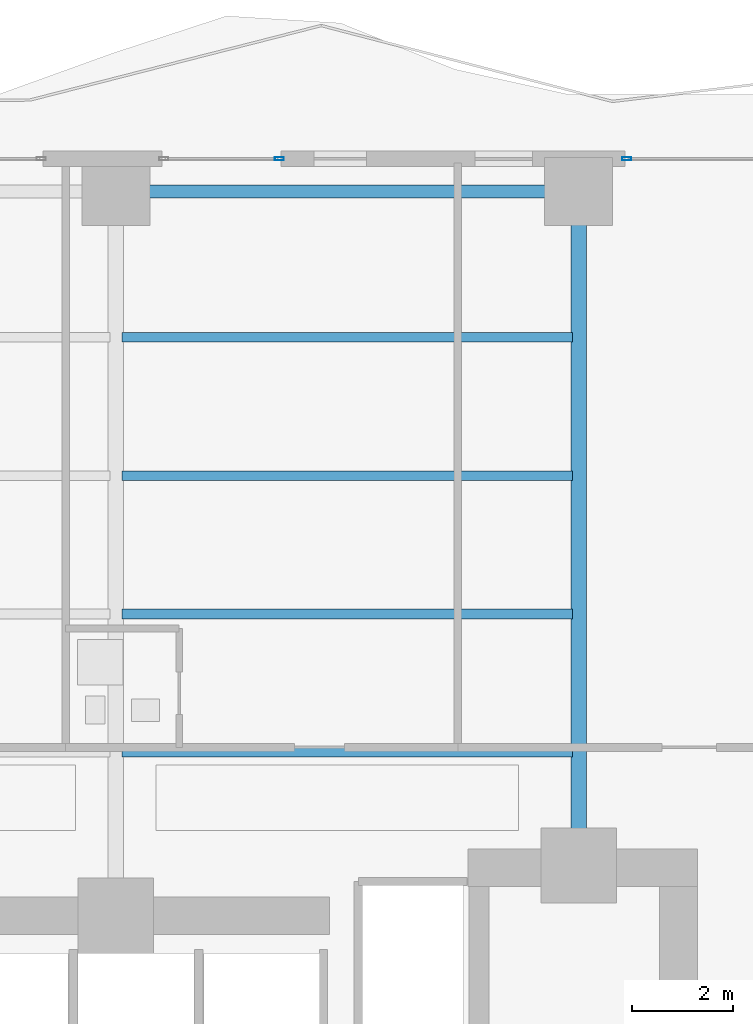
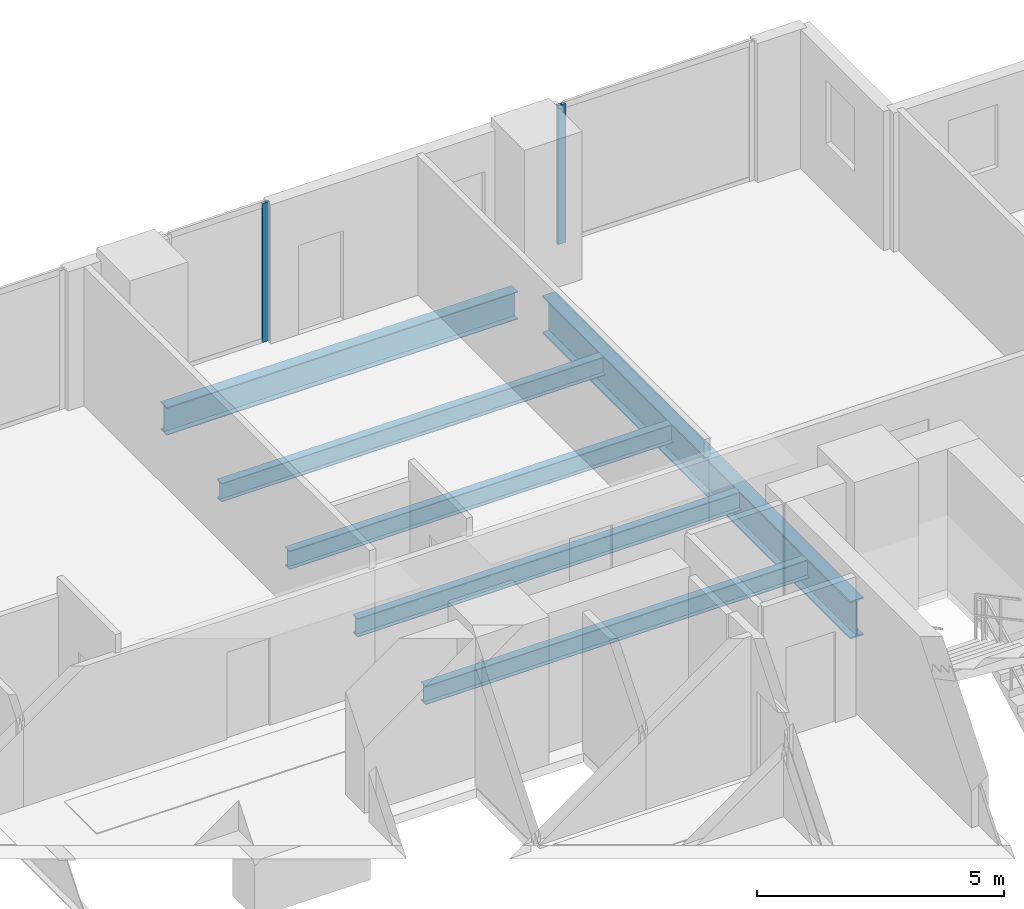
# One storey, part 17 of 28: 6 beams, 2 members, 2 elements without a shape of their own.
"""IFC4 building model written with IfcOpenShell, lengths in metres."""

from ifc_helpers import new_model, si_unit, direction, frame, origin, origin_2d, place, context, subcontext, project, spatial, hollow_rectangle, i_section, extrude, material, layer, layer_set, material_profile, profile_set, type_object, element, aggregate, save


model = new_model("IFC4")

# Units and contexts
model_context = context("Model", 3, precision=1e-05, world=origin(), true_north=direction((0.0, 1.0)))
body_context = subcontext(model_context, "Body", "Model", "MODEL_VIEW")
ifc_project = project(units=[si_unit("LENGTHUNIT", "METRE"), si_unit("AREAUNIT", "SQUARE_METRE"), si_unit("VOLUMEUNIT", "CUBIC_METRE"), si_unit("PLANEANGLEUNIT", "RADIAN"), si_unit("MASSUNIT", "GRAM", prefix="KILO")], contexts=[model_context])

# Site, building, storey
site_placement = place(None, origin())
site = spatial("IfcSite", under=ifc_project, at=site_placement, CompositionType="ELEMENT")
building_placement = place(site_placement, origin())
building = spatial("IfcBuilding", under=site, at=building_placement, Name="Zuhayl Quay Hotel", CompositionType="ELEMENT")
storey_placement = place(building_placement, frame((0.0, 0.0, 121.199951171875)))
storey = spatial("IfcBuildingStorey", under=building, at=storey_placement, Name="L30", CompositionType="ELEMENT", Elevation=121.199951171875)

# Beams
ifc_material_1 = material(Name="Steel ASTM A992 Grade 50", Category="steel")
ifc_material_profile_1 = material_profile(ifc_material_1, i_section(OverallWidth=0.25390625, OverallDepth=0.68310546875, WebThickness=0.012451171875, FlangeThickness=0.018798828125, at=origin_2d()), Name="W27X94")
ifc_profile_set_1 = profile_set([ifc_material_profile_1], Name="Steel ASTM A992 Grade 50")
beam_type_1 = type_object("IfcBeamType", Name="BM_B2_W27X94", PredefinedType="BEAM", material=ifc_profile_set_1)
beam_1_placement = place(storey_placement, frame((13.300048828125, 27.75, -0.5615234375), z_axis=(-1.0, 0.0, 0.0), x_axis=(0.0, -1.0, 0.0)))
element("IfcBeam", 1, at=beam_1_placement, inside=storey, type_object=beam_type_1, Name="L30 Floor Beam RG_L30_07", PredefinedType="BEAM", context=body_context, shape_type="SweptSolid", body=[
    extrude(i_section(OverallWidth=0.25390625, OverallDepth=0.68310546875, WebThickness=0.012451171875, FlangeThickness=0.018798828125, at=origin_2d()), origin(), (0.0, 0.0, 1.0), 8.199951171875),
])
ifc_material_profile_2 = material_profile(ifc_material_1, i_section(OverallWidth=0.18994140625, OverallDepth=0.45703125, WebThickness=0.009033203125, FlangeThickness=0.014404296875, at=origin_2d()), Name="W18X50")
ifc_profile_set_2 = profile_set([ifc_material_profile_2], Name="Steel ASTM A992 Grade 50")
beam_type_2 = type_object("IfcBeamType", Name="BM_J2_W18X50", PredefinedType="JOIST", material=ifc_profile_set_2)
for number, where, z_axis, x_axis, name in (
    (2, (4.718994140625, 16.60009765625, -0.448486328125), (1.0, 0.0, 0.0), (0.0, 1.0, 0.0), "L30 Floor Beam FJ_L30_1_3"),
    (3, (4.718994140625, 19.35009765625, -0.448486328125), (1.0, 0.0, 0.0), (0.0, 1.0, 0.0), "L30 Floor Beam FJ_L30_2_3"),
    (4, (4.718994140625, 22.10009765625, -0.448486328125), (1.0, 0.0, 0.0), (0.0, 1.0, 0.0), "L30 Floor Beam FJ_L30_3_3"),
    (5, (4.718994140625, 24.85009765625, -0.448486328125), (1.0, 0.0, 0.0), (0.0, 1.0, 0.0), "L30 Floor Beam FJ_L30_4_3"),
):
    element("IfcBeam", number, at=place(storey_placement, frame(where, z_axis=z_axis, x_axis=x_axis)), inside=storey, type_object=beam_type_2, Name=name, PredefinedType="JOIST", context=body_context, shape_type="SweptSolid", body=[
        extrude(i_section(OverallWidth=0.18994140625, OverallDepth=0.45703125, WebThickness=0.009033203125, FlangeThickness=0.014404296875, at=origin_2d()), origin(), (0.0, 0.0, 1.0), 8.9619140625),
    ])
ifc_material_profile_3 = material_profile(ifc_material_1, i_section(OverallWidth=0.306884765625, OverallDepth=0.927001953125, WebThickness=0.019287109375, FlangeThickness=0.031982421875, at=origin_2d()), Name="W36X194")
ifc_profile_set_3 = profile_set([ifc_material_profile_3], Name="Steel ASTM A992 Grade 50")
beam_type_3 = type_object("IfcBeamType", Name="BM_PG2_W36X194", PredefinedType="BEAM", material=ifc_profile_set_3)
beam_2_placement = place(storey_placement, frame((13.800048828125, 14.800048828125, -0.683349609375), z_axis=(0.0, 1.0, 0.0), x_axis=(-1.0, 0.0, 0.0)))
element("IfcBeam", 6, at=beam_2_placement, inside=storey, type_object=beam_type_3, Name="L30 Floor Beam FG_N_L30_4", PredefinedType="BEAM", context=body_context, shape_type="SweptSolid", body=[
    extrude(i_section(OverallWidth=0.306884765625, OverallDepth=0.927001953125, WebThickness=0.019287109375, FlangeThickness=0.031982421875, at=origin_2d()), origin(), (0.0, 0.0, 1.0), 12.449951171875),
])

# Curtain wall, member
ifc_material_2 = material(Name="Anodised Aluminium 6063-T6", Category="aluminium")
ifc_layer = layer(ifc_material_2, 0.179931640625, Name="Anodised Aluminium 6063-T6", Category="aluminium")
ifc_layer_set = layer_set([ifc_layer], Name="Anodised Aluminium 6063-T6")
curtain_wall_type = type_object("IfcCurtainWallType", Name="CW_SYS_Z2", PredefinedType="USERDEFINED", material=ifc_layer_set)
curtain_wall_1_placement = place(storey_placement, origin())
curtain_wall_1 = element("IfcCurtainWall", 7, at=curtain_wall_1_placement, inside=storey, type_object=curtain_wall_type, Name="L30 Curtain Wall ENV_L30_N_CW3", ObjectType="UNITISED CURTAIN WALL", PredefinedType="USERDEFINED")
ifc_material_3 = material(Name="Black-anodised aluminium 6063-T6", Category="aluminium")
ifc_material_profile_4 = material_profile(ifc_material_3, hollow_rectangle(XDim=0.06494140625, YDim=0.179931640625, WallThickness=0.00341796875, at=origin_2d()), Name="ALU180X65")
ifc_profile_set_4 = profile_set([ifc_material_profile_4], Name="Black-anodised aluminium 6063-T6")
member_type = type_object("IfcMemberType", Name="MB_CW_MUL_180", PredefinedType="MULLION", material=ifc_profile_set_4)
member_1_placement = place(storey_placement, frame((7.8525390625, 28.39990234375, 0.0), z_axis=(0.0, 0.0, 1.0), x_axis=(0.0, 1.0, 0.0)))
member_1 = element("IfcMember", 8, at=member_1_placement, type_object=member_type, Name="CW-Z2 mullion 2", PredefinedType="MULLION", context=body_context, shape_type="SweptSolid", body=[
    extrude(hollow_rectangle(XDim=0.06494140625, YDim=0.179931640625, WallThickness=0.00341796875, at=origin_2d()), origin(), (0.0, 0.0, 1.0), 3.429931640625),
])
aggregate(curtain_wall_1, [member_1])

curtain_wall_2_placement = place(storey_placement, origin())
curtain_wall_2 = element("IfcCurtainWall", 9, at=curtain_wall_2_placement, inside=storey, type_object=curtain_wall_type, Name="L30 Curtain Wall ENV_L30_N_CW4", ObjectType="UNITISED CURTAIN WALL", PredefinedType="USERDEFINED")
member_2_placement = place(storey_placement, frame((14.75244140625, 28.39990234375, 0.0), z_axis=(0.0, 0.0, 1.0), x_axis=(0.0, 1.0, 0.0)))
member_2 = element("IfcMember", 10, at=member_2_placement, type_object=member_type, Name="CW-Z2 mullion 1", PredefinedType="MULLION", context=body_context, shape_type="SweptSolid", body=[
    extrude(hollow_rectangle(XDim=0.06494140625, YDim=0.179931640625, WallThickness=0.00341796875, at=origin_2d()), origin(), (0.0, 0.0, 1.0), 3.429931640625),
])
aggregate(curtain_wall_2, [member_2])

save(model, "model.ifc")
